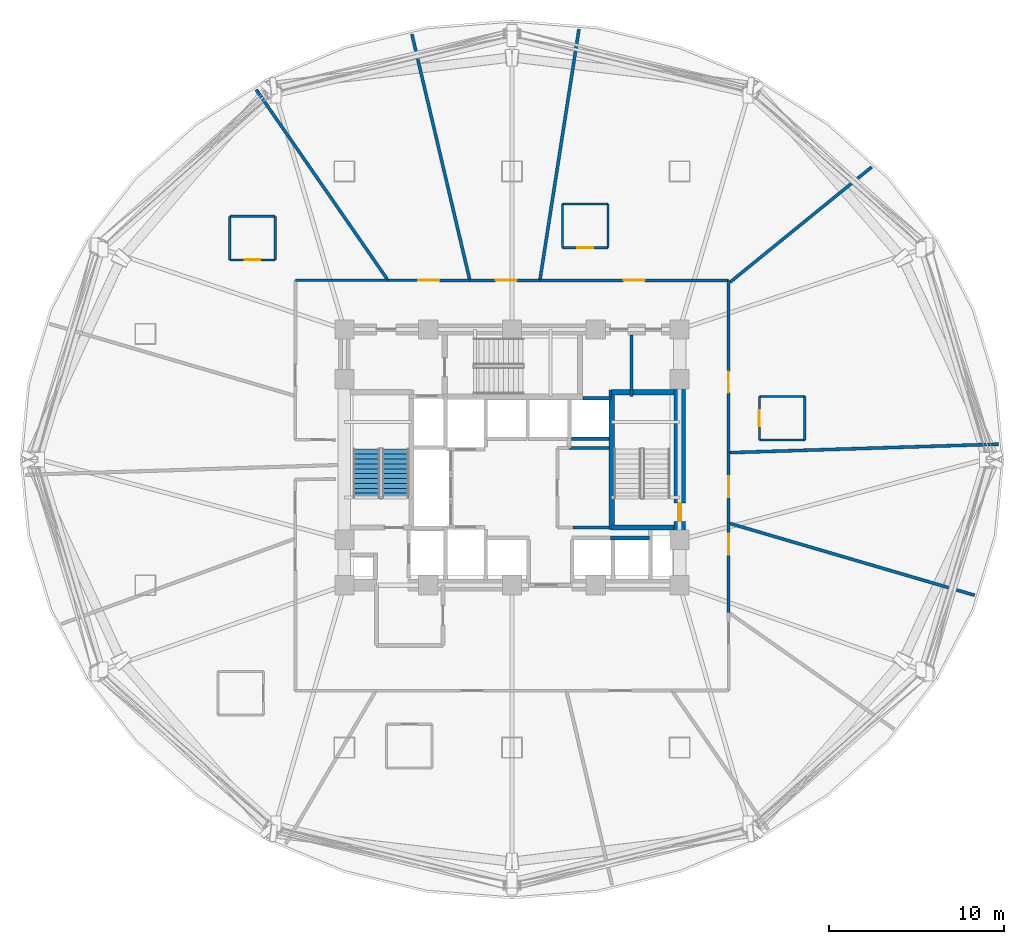
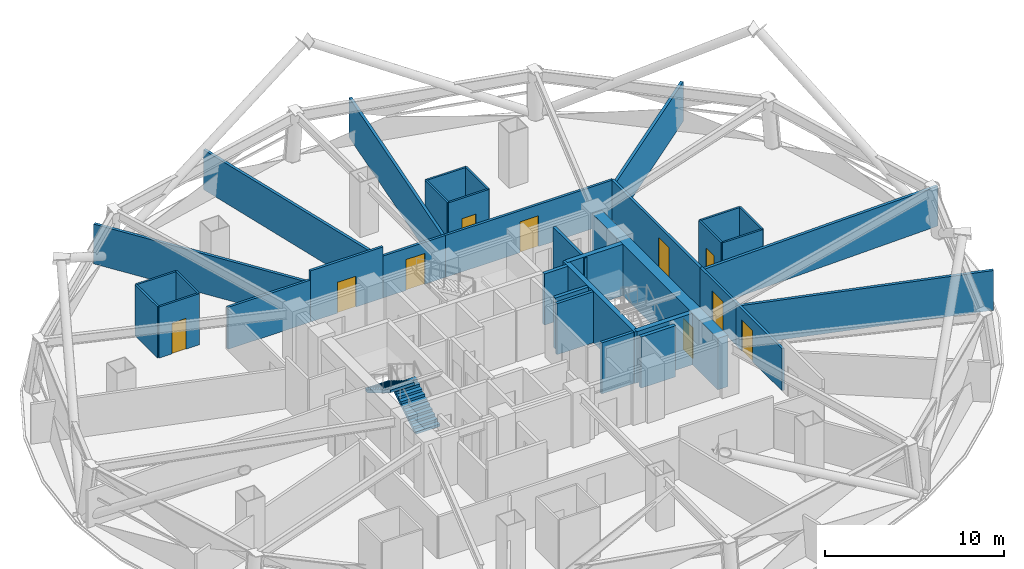
# One storey, part 7 of 13: 35 walls, 10 doors, 2 stair flights, 10 openings, 1 element without a shape of its own.
"""IFC4 building model written with IfcOpenShell, lengths in metres."""

from ifc_helpers import new_model, si_unit, direction, frame, frame_2d, origin, place, context, subcontext, project, spatial, polyline, rectangle, outline, extrude, material, layer, layer_set, type_object, element, fill, aggregate, save


model = new_model("IFC4")

# Units and contexts
model_context = context("Model", 3, precision=1e-05, world=origin(), true_north=direction((0.0, 1.0)))
body_context = subcontext(model_context, "Body", "Model", "MODEL_VIEW")
ifc_project = project(units=[si_unit("LENGTHUNIT", "METRE"), si_unit("AREAUNIT", "SQUARE_METRE"), si_unit("VOLUMEUNIT", "CUBIC_METRE"), si_unit("PLANEANGLEUNIT", "RADIAN"), si_unit("MASSUNIT", "GRAM", prefix="KILO")], contexts=[model_context])

# Site, building, storey
site_placement = place(None, origin())
site = spatial("IfcSite", under=ifc_project, at=site_placement, CompositionType="ELEMENT")
building_placement = place(site_placement, origin())
building = spatial("IfcBuilding", under=site, at=building_placement, Name="Vantalir Tower", CompositionType="ELEMENT")
storey_placement = place(building_placement, frame((0.0, 0.0, 87.0)))
storey = spatial("IfcBuildingStorey", under=building, at=storey_placement, Name="L21", CompositionType="ELEMENT", Elevation=87.0)

# Walls
ifc_material_1 = material(Name="Moisture-resistant en-suite partition", Category="gypsum")
ifc_layer_1 = layer(ifc_material_1, 0.125)
ifc_layer_set_1 = layer_set([ifc_layer_1], Name="Moisture-resistant en-suite partition")
wall_type_1 = type_object("IfcWallType", Name="WL-BATH-125", PredefinedType="PARTITIONING", material=ifc_layer_set_1)
for number, where, z_axis, x_axis, name in (
    (1, (45.6650390625, 26.117919921875, 0.0), (0.0, 0.0, 1.0), (1.0, 0.0, 0.0), "L21 En-suite 01 South Wall"),
    (2, (45.6650390625, 28.617919921875, 0.0), (0.0, 0.0, 1.0), (1.0, 0.0, 0.0), "L21 En-suite 01 North Wall"),
):
    element("IfcWall", number, at=place(storey_placement, frame(where, z_axis=z_axis, x_axis=x_axis)), inside=storey, type_object=wall_type_1, Name=name, PredefinedType="PARTITIONING", context=body_context, shape_type="SweptSolid", body=[
        extrude(rectangle(XDim=2.599853515625, YDim=0.125, at=frame_2d((1.2998046875, 0.0))), origin(), (0.0, 0.0, 1.0), 3.47998046875),
    ])

# Wall, opening, door
wall_1_placement = place(storey_placement, frame((45.6650390625, 26.117919921875, 0.0), z_axis=(0.0, 0.0, 1.0), x_axis=(0.0, 1.0, 0.0)))
wall_1 = element("IfcWall", 3, at=wall_1_placement, inside=storey, type_object=wall_type_1, Name="L21 En-suite 01 West Wall", PredefinedType="PARTITIONING", context=body_context, shape_type="SweptSolid", body=[
    extrude(rectangle(XDim=2.5, YDim=0.125, at=frame_2d((1.25, 0.0))), origin(), (0.0, 0.0, 1.0), 3.47998046875),
])
opening_1_placement = place(wall_1_placement, frame((0.800048828125, 0.0, 0.0)))
opening_1 = element("IfcOpeningElement", 4, at=opening_1_placement, cuts=wall_1, Name="Opening D-WC", PredefinedType="OPENING", context=body_context, shape_type="SweptSolid", body=[
    extrude(rectangle(XDim=0.89990234375, YDim=2.10009765625, at=frame_2d((0.449951171875, 1.050048828125))), frame((0.0, 0.072509765625, 0.0), z_axis=(0.0, -1.0, 0.0), x_axis=(1.0, 0.0, 0.0)), (0.0, 0.0, 1.0), 0.14501953125),
])
ifc_material_2 = material(Name="Moisture-resistant hardwood door", Category="wood")
door_type_1 = type_object("IfcDoorType", Name="DR-ENSUITE-900", OperationType="NOTDEFINED", PredefinedType="DOOR", material=ifc_material_2)
door_1_placement = place(opening_1_placement, frame((0.89990234375, 0.0, 0.0), z_axis=(0.0, 0.0, 1.0), x_axis=(-1.0, 0.0, 0.0)))
door_1 = element("IfcDoor", 5, at=door_1_placement, inside=storey, type_object=door_type_1, Name="L21 En-suite 01 Door", OperationType="SINGLE_SWING_LEFT", OverallHeight=2.10009765625, OverallWidth=0.89990234375, PredefinedType="DOOR", context=body_context, shape_type="SweptSolid", body=[
    extrude(rectangle(XDim=0.89990234375, YDim=2.10009765625, at=frame_2d((0.449951171875, 1.050048828125))), frame((0.0, 0.02490234375, 0.0), z_axis=(0.0, -1.0, 0.0), x_axis=(1.0, 0.0, 0.0)), (0.0, 0.0, 1.0), 0.050048828125),
])
fill(opening_1, door_1)

# Wall
wall_2_placement = place(storey_placement, frame((48.264892578125, 26.117919921875, 0.0), z_axis=(0.0, 0.0, 1.0), x_axis=(0.0, 1.0, 0.0)))
element("IfcWall", 6, at=wall_2_placement, inside=storey, type_object=wall_type_1, Name="L21 En-suite 01 East Wall", PredefinedType="PARTITIONING", context=body_context, shape_type="SweptSolid", body=[
    extrude(rectangle(XDim=2.5, YDim=0.125, at=frame_2d((1.25, 0.0))), origin(), (0.0, 0.0, 1.0), 3.47998046875),
])

# Wall, opening, door
wall_3_placement = place(storey_placement, frame((34.39501953125, 37.12890625, 0.0), z_axis=(0.0, 0.0, 1.0), x_axis=(1.0, 0.0, 0.0)))
wall_3 = element("IfcWall", 7, at=wall_3_placement, inside=storey, type_object=wall_type_1, Name="L21 En-suite 02 South Wall", PredefinedType="PARTITIONING", context=body_context, shape_type="SweptSolid", body=[
    extrude(rectangle(XDim=2.60009765625, YDim=0.125, at=frame_2d((1.300048828125, 0.0))), origin(), (0.0, 0.0, 1.0), 3.47998046875),
])
opening_2_placement = place(wall_3_placement, frame((0.85009765625, 0.0, 0.0)))
opening_2 = element("IfcOpeningElement", 8, at=opening_2_placement, cuts=wall_3, Name="Opening D-WC", PredefinedType="OPENING", context=body_context, shape_type="SweptSolid", body=[
    extrude(rectangle(XDim=0.89990234375, YDim=2.10009765625, at=frame_2d((0.449951171875, 1.050048828125))), frame((0.0, 0.072509765625, 0.0), z_axis=(0.0, -1.0, 0.0), x_axis=(1.0, 0.0, 0.0)), (0.0, 0.0, 1.0), 0.14501953125),
])
door_2_placement = place(opening_2_placement, origin())
door_2 = element("IfcDoor", 9, at=door_2_placement, inside=storey, type_object=door_type_1, Name="L21 En-suite 02 Door", OperationType="SINGLE_SWING_RIGHT", OverallHeight=2.10009765625, OverallWidth=0.89990234375, PredefinedType="DOOR", context=body_context, shape_type="SweptSolid", body=[
    extrude(rectangle(XDim=0.89990234375, YDim=2.10009765625, at=frame_2d((0.449951171875, 1.050048828125))), frame((0.0, 0.02490234375, 0.0), z_axis=(0.0, -1.0, 0.0), x_axis=(1.0, 0.0, 0.0)), (0.0, 0.0, 1.0), 0.050048828125),
])
fill(opening_2, door_2)

# Walls
wall_4_placement = place(storey_placement, frame((34.39501953125, 39.62890625, 0.0), z_axis=(0.0, 0.0, 1.0), x_axis=(1.0, 0.0, 0.0)))
element("IfcWall", 10, at=wall_4_placement, inside=storey, type_object=wall_type_1, Name="L21 En-suite 02 North Wall", PredefinedType="PARTITIONING", context=body_context, shape_type="SweptSolid", body=[
    extrude(rectangle(XDim=2.60009765625, YDim=0.125, at=frame_2d((1.300048828125, 0.0))), origin(), (0.0, 0.0, 1.0), 3.47998046875),
])
for number, where, z_axis, x_axis, name in (
    (11, (34.39501953125, 37.12890625, 0.0), (0.0, 0.0, 1.0), (0.0, 1.0, 0.0), "L21 En-suite 02 West Wall"),
    (12, (36.9951171875, 37.12890625, 0.0), (0.0, 0.0, 1.0), (0.0, 1.0, 0.0), "L21 En-suite 02 East Wall"),
):
    element("IfcWall", number, at=place(storey_placement, frame(where, z_axis=z_axis, x_axis=x_axis)), inside=storey, type_object=wall_type_1, Name=name, PredefinedType="PARTITIONING", context=body_context, shape_type="SweptSolid", body=[
        extrude(rectangle(XDim=2.5, YDim=0.125, at=frame_2d((1.25, 0.0))), origin(), (0.0, 0.0, 1.0), 3.47998046875),
    ])

# Wall, opening, door
wall_5_placement = place(storey_placement, frame((15.337890625, 36.429931640625, 0.0), z_axis=(0.0, 0.0, 1.0), x_axis=(1.0, 0.0, 0.0)))
wall_5 = element("IfcWall", 13, at=wall_5_placement, inside=storey, type_object=wall_type_1, Name="L21 En-suite 05 South Wall", PredefinedType="PARTITIONING", context=body_context, shape_type="SweptSolid", body=[
    extrude(rectangle(XDim=2.60009765625, YDim=0.125, at=frame_2d((1.300048828125, 0.0))), origin(), (0.0, 0.0, 1.0), 3.47998046875),
])
opening_3_placement = place(wall_5_placement, frame((0.85009765625, 0.0, 0.0)))
opening_3 = element("IfcOpeningElement", 14, at=opening_3_placement, cuts=wall_5, Name="Opening D-WC", PredefinedType="OPENING", context=body_context, shape_type="SweptSolid", body=[
    extrude(rectangle(XDim=0.89990234375, YDim=2.10009765625, at=frame_2d((0.449951171875, 1.050048828125))), frame((0.0, 0.072509765625, 0.0), z_axis=(0.0, -1.0, 0.0), x_axis=(1.0, 0.0, 0.0)), (0.0, 0.0, 1.0), 0.14501953125),
])
door_3_placement = place(opening_3_placement, origin())
door_3 = element("IfcDoor", 15, at=door_3_placement, inside=storey, type_object=door_type_1, Name="L21 En-suite 05 Door", OperationType="SINGLE_SWING_LEFT", OverallHeight=2.10009765625, OverallWidth=0.89990234375, PredefinedType="DOOR", context=body_context, shape_type="SweptSolid", body=[
    extrude(rectangle(XDim=0.89990234375, YDim=2.10009765625, at=frame_2d((0.449951171875, 1.050048828125))), frame((0.0, 0.02490234375, 0.0), z_axis=(0.0, -1.0, 0.0), x_axis=(1.0, 0.0, 0.0)), (0.0, 0.0, 1.0), 0.050048828125),
])
fill(opening_3, door_3)

# Walls
wall_6_placement = place(storey_placement, frame((15.337890625, 38.929931640625, 0.0), z_axis=(0.0, 0.0, 1.0), x_axis=(1.0, 0.0, 0.0)))
element("IfcWall", 16, at=wall_6_placement, inside=storey, type_object=wall_type_1, Name="L21 En-suite 05 North Wall", PredefinedType="PARTITIONING", context=body_context, shape_type="SweptSolid", body=[
    extrude(rectangle(XDim=2.60009765625, YDim=0.125, at=frame_2d((1.300048828125, 0.0))), origin(), (0.0, 0.0, 1.0), 3.47998046875),
])
for number, where, z_axis, x_axis, name in (
    (17, (15.337890625, 36.429931640625, 0.0), (0.0, 0.0, 1.0), (0.0, 1.0, 0.0), "L21 En-suite 05 West Wall"),
    (18, (17.93798828125, 36.429931640625, 0.0), (0.0, 0.0, 1.0), (0.0, 1.0, 0.0), "L21 En-suite 05 East Wall"),
):
    element("IfcWall", number, at=place(storey_placement, frame(where, z_axis=z_axis, x_axis=x_axis)), inside=storey, type_object=wall_type_1, Name=name, PredefinedType="PARTITIONING", context=body_context, shape_type="SweptSolid", body=[
        extrude(rectangle(XDim=2.5, YDim=0.125, at=frame_2d((1.25, 0.0))), origin(), (0.0, 0.0, 1.0), 3.47998046875),
    ])

# Wall, opening, door
ifc_material_3 = material(Name="Concrete C60/75", Category="concrete")
ifc_layer_2 = layer(ifc_material_3, 0.64990234375)
ifc_layer_set_2 = layer_set([ifc_layer_2], Name="Concrete C60/75")
wall_type_2 = type_object("IfcWallType", Name="WL-CORE-650", PredefinedType="SHEAR", material=ifc_layer_set_2)
wall_7_placement = place(storey_placement, frame((41.10009765625, 18.125, 0.0), z_axis=(0.0, 0.0, 1.0), x_axis=(0.0, 1.0, 0.0)))
wall_7 = element("IfcWall", 19, at=wall_7_placement, inside=storey, type_object=wall_type_2, Name="L21 Core Shear Wall East", PredefinedType="SHEAR", context=body_context, shape_type="SweptSolid", body=[
    extrude(rectangle(XDim=14.0, YDim=0.64990234375, at=frame_2d((7.0, 0.0))), origin(), (0.0, 0.0, 1.0), 3.5),
])
opening_4_placement = place(wall_7_placement, frame((3.3349609375, 0.0, 0.0)))
opening_4 = element("IfcOpeningElement", 20, at=opening_4_placement, cuts=wall_7, Name="Opening D-ST", PredefinedType="OPENING", context=body_context, shape_type="SweptSolid", body=[
    extrude(rectangle(XDim=1.050048828125, YDim=2.10009765625, at=frame_2d((0.52490234375, 1.050048828125))), frame((0.0, 0.3349609375, 0.0), z_axis=(0.0, -1.0, 0.0), x_axis=(1.0, 0.0, 0.0)), (0.0, 0.0, 1.0), 0.669921875),
])
ifc_material_4 = material(Name="Fire-rated steel door leaf", Category="steel")
door_type_2 = type_object("IfcDoorType", Name="DR-FIRE-STAIR-1050", OperationType="NOTDEFINED", PredefinedType="DOOR", material=ifc_material_4)
door_4_placement = place(opening_4_placement, origin())
door_4 = element("IfcDoor", 21, at=door_4_placement, inside=storey, type_object=door_type_2, Name="L21 Exit Stair ST2 Fire Door", OperationType="SINGLE_SWING_LEFT", OverallHeight=2.10009765625, OverallWidth=1.050048828125, PredefinedType="DOOR", context=body_context, shape_type="SweptSolid", body=[
    extrude(rectangle(XDim=1.050048828125, YDim=2.10009765625, at=frame_2d((0.52490234375, 1.050048828125))), frame((0.0, 0.02490234375, 0.0), z_axis=(0.0, -1.0, 0.0), x_axis=(1.0, 0.0, 0.0)), (0.0, 0.0, 1.0), 0.050048828125),
])
fill(opening_4, door_4)

# Wall
ifc_material_5 = material(Name="Fire-rated hotel corridor acoustic partition", Category="gypsum")
ifc_layer_3 = layer(ifc_material_5, 0.159912109375)
ifc_layer_set_3 = layer_set([ifc_layer_3], Name="Fire-rated hotel corridor acoustic partition")
wall_type_3 = type_object("IfcWallType", Name="WL-CORR-160", PredefinedType="PARTITIONING", material=ifc_layer_set_3)
wall_8_placement = place(storey_placement, frame((19.110107421875, 35.261962890625, 0.0), z_axis=(0.0, 0.0, 1.0), x_axis=(0.999999982965, -0.000184578466, 0.0)))
element("IfcWall", 22, at=wall_8_placement, inside=storey, type_object=wall_type_3, Name="L21 Corridor Partition 04", PredefinedType="PARTITIONING", context=body_context, shape_type="SweptSolid", body=[
    extrude(rectangle(XDim=5.290771484375, YDim=0.159912109375, at=frame_2d((2.6455078125, 0.0))), origin(), (0.0, 0.0, 1.0), 2.85791015625),
])

# Wall, opening, door
wall_9_placement = place(storey_placement, frame((24.40087890625, 35.260986328125, 0.0), z_axis=(0.0, 0.0, 1.0), x_axis=(0.999999978267, -0.000208485349, 0.0)))
wall_9 = element("IfcWall", 23, at=wall_9_placement, inside=storey, type_object=wall_type_3, Name="L21 Corridor Partition 05", PredefinedType="PARTITIONING", context=body_context, shape_type="SweptSolid", body=[
    extrude(rectangle(XDim=4.68408203125, YDim=0.159912109375, at=frame_2d((2.342041015625, 0.0))), origin(), (0.0, 0.0, 1.0), 3.47998046875),
])
opening_5_placement = place(wall_9_placement, frame((1.741943359375, 0.0, 0.0)))
opening_5 = element("IfcOpeningElement", 24, at=opening_5_placement, cuts=wall_9, Name="Opening D-STE", PredefinedType="OPENING", context=body_context, shape_type="SweptSolid", body=[
    extrude(rectangle(XDim=1.199951171875, YDim=2.10009765625, at=frame_2d((0.60009765625, 1.050048828125))), frame((0.0, 0.08984375, 0.0), z_axis=(0.0, -1.0, 0.0), x_axis=(1.0, 0.0, 0.0)), (0.0, 0.0, 1.0), 0.179931640625),
])
ifc_material_6 = material(Name="Solid-core teak veneer suite entrance door", Category="wood")
door_type_3 = type_object("IfcDoorType", Name="DR-SUITE-ENTRY-1200", OperationType="NOTDEFINED", PredefinedType="DOOR", material=ifc_material_6)
door_5_placement = place(opening_5_placement, origin())
door_5 = element("IfcDoor", 25, at=door_5_placement, inside=storey, type_object=door_type_3, Name="L21 Executive Sky Boardroom 04 Door", OperationType="SINGLE_SWING_RIGHT", OverallHeight=2.10009765625, OverallWidth=1.199951171875, PredefinedType="DOOR", context=body_context, shape_type="SweptSolid", body=[
    extrude(rectangle(XDim=1.199951171875, YDim=2.10009765625, at=frame_2d((0.60009765625, 1.050048828125))), frame((0.0, 0.02490234375, 0.0), z_axis=(0.0, -1.0, 0.0), x_axis=(1.0, 0.0, 0.0)), (0.0, 0.0, 1.0), 0.050048828125),
])
fill(opening_5, door_5)

wall_10_placement = place(storey_placement, frame((29.0849609375, 35.260009765625, 0.0), z_axis=(0.0, 0.0, 1.0), x_axis=(1.0, 0.0, 0.0)))
wall_10 = element("IfcWall", 26, at=wall_10_placement, inside=storey, type_object=wall_type_3, Name="L21 Corridor Partition 06", PredefinedType="PARTITIONING", context=body_context, shape_type="SweptSolid", body=[
    extrude(rectangle(XDim=4.010986328125, YDim=0.159912109375, at=frame_2d((2.00537109375, 0.0))), origin(), (0.0, 0.0, 1.0), 2.85791015625),
])
opening_6_placement = place(wall_10_placement, frame((1.47900390625, 0.0, 0.0)))
opening_6 = element("IfcOpeningElement", 27, at=opening_6_placement, cuts=wall_10, Name="Opening D-STE", PredefinedType="OPENING", context=body_context, shape_type="SweptSolid", body=[
    extrude(rectangle(XDim=1.199951171875, YDim=2.10009765625, at=frame_2d((0.60009765625, 1.050048828125))), frame((0.0, 0.08984375, 0.0), z_axis=(0.0, -1.0, 0.0), x_axis=(1.0, 0.0, 0.0)), (0.0, 0.0, 1.0), 0.179931640625),
])
door_6_placement = place(opening_6_placement, origin())
door_6 = element("IfcDoor", 28, at=door_6_placement, inside=storey, type_object=door_type_3, Name="L21 Executive Sky Boardroom 03 Door", OperationType="SINGLE_SWING_LEFT", OverallHeight=2.10009765625, OverallWidth=1.199951171875, PredefinedType="DOOR", context=body_context, shape_type="SweptSolid", body=[
    extrude(rectangle(XDim=1.199951171875, YDim=2.10009765625, at=frame_2d((0.60009765625, 1.050048828125))), frame((0.0, 0.02490234375, 0.0), z_axis=(0.0, -1.0, 0.0), x_axis=(1.0, 0.0, 0.0)), (0.0, 0.0, 1.0), 0.050048828125),
])
fill(opening_6, door_6)

wall_11_placement = place(storey_placement, frame((33.095947265625, 35.260009765625, 0.0), z_axis=(0.0, 0.0, 1.0), x_axis=(0.999999983651, -0.000180827736, 0.0)))
wall_11 = element("IfcWall", 29, at=wall_11_placement, inside=storey, type_object=wall_type_3, Name="L21 Corridor Partition 07", PredefinedType="PARTITIONING", context=body_context, shape_type="SweptSolid", body=[
    extrude(rectangle(XDim=10.801025390625, YDim=0.159912109375, at=frame_2d((5.400390625, 0.0))), origin(), (0.0, 0.0, 1.0), 2.85791015625),
])
opening_7_placement = place(wall_11_placement, frame((4.801025390625, 0.0, 0.0)))
opening_7 = element("IfcOpeningElement", 30, at=opening_7_placement, cuts=wall_11, Name="Opening D-STE", PredefinedType="OPENING", context=body_context, shape_type="SweptSolid", body=[
    extrude(rectangle(XDim=1.199951171875, YDim=2.10009765625, at=frame_2d((0.60009765625, 1.050048828125))), frame((0.0, 0.08984375, 0.0), z_axis=(0.0, -1.0, 0.0), x_axis=(1.0, 0.0, 0.0)), (0.0, 0.0, 1.0), 0.179931640625),
])
door_7_placement = place(opening_7_placement, origin())
door_7 = element("IfcDoor", 31, at=door_7_placement, inside=storey, type_object=door_type_3, Name="L21 Royal Ambassador Hotel Suite 02 Door", OperationType="SINGLE_SWING_RIGHT", OverallHeight=2.10009765625, OverallWidth=1.199951171875, PredefinedType="DOOR", context=body_context, shape_type="SweptSolid", body=[
    extrude(rectangle(XDim=1.199951171875, YDim=2.10009765625, at=frame_2d((0.60009765625, 1.050048828125))), frame((0.0, 0.02490234375, 0.0), z_axis=(0.0, -1.0, 0.0), x_axis=(1.0, 0.0, 0.0)), (0.0, 0.0, 1.0), 0.050048828125),
])
fill(opening_7, door_7)

wall_12_placement = place(storey_placement, frame((43.89697265625, 35.258056640625, 0.0), z_axis=(0.0, 0.0, 1.0), x_axis=(0.000519608986, -0.999999865003, 0.0)))
wall_12 = element("IfcWall", 32, at=wall_12_placement, inside=storey, type_object=wall_type_3, Name="L21 Corridor Partition 08", PredefinedType="PARTITIONING", context=body_context, shape_type="SweptSolid", body=[
    extrude(rectangle(XDim=9.866943359375, YDim=0.159912109375, at=frame_2d((4.93359375, 0.0))), origin(), (0.0, 0.0, 1.0), 2.85791015625),
])
opening_8_placement = place(wall_12_placement, frame((5.22802734375, 0.0, 0.0)))
opening_8 = element("IfcOpeningElement", 33, at=opening_8_placement, cuts=wall_12, Name="Opening D-STE", PredefinedType="OPENING", context=body_context, shape_type="SweptSolid", body=[
    extrude(rectangle(XDim=1.199951171875, YDim=2.10009765625, at=frame_2d((0.60009765625, 1.050048828125))), frame((0.0, 0.08984375, 0.0), z_axis=(0.0, -1.0, 0.0), x_axis=(1.0, 0.0, 0.0)), (0.0, 0.0, 1.0), 0.179931640625),
])
door_8_placement = place(opening_8_placement, origin())
door_8 = element("IfcDoor", 34, at=door_8_placement, inside=storey, type_object=door_type_3, Name="L21 Royal Ambassador Hotel Suite 01 Door", OperationType="SINGLE_SWING_LEFT", OverallHeight=2.10009765625, OverallWidth=1.199951171875, PredefinedType="DOOR", context=body_context, shape_type="SweptSolid", body=[
    extrude(rectangle(XDim=1.199951171875, YDim=2.10009765625, at=frame_2d((0.60009765625, 1.050048828125))), frame((0.0, 0.02490234375, 0.0), z_axis=(0.0, -1.0, 0.0), x_axis=(1.0, 0.0, 0.0)), (0.0, 0.0, 1.0), 0.050048828125),
])
fill(opening_8, door_8)

wall_13_placement = place(storey_placement, frame((43.902099609375, 25.39111328125, 0.0), z_axis=(0.0, 0.0, 1.0), x_axis=(0.000484525411, -0.999999882618, 0.0)))
wall_13 = element("IfcWall", 35, at=wall_13_placement, inside=storey, type_object=wall_type_3, Name="L21 Corridor Partition 09", PredefinedType="PARTITIONING", context=body_context, shape_type="SweptSolid", body=[
    extrude(rectangle(XDim=4.031005859375, YDim=0.159912109375, at=frame_2d((2.015625, 0.0))), origin(), (0.0, 0.0, 1.0), 2.85791015625),
])
opening_9_placement = place(wall_13_placement, frame((1.342041015625, 0.0, 0.0)))
opening_9 = element("IfcOpeningElement", 36, at=opening_9_placement, cuts=wall_13, Name="Opening D-STE", PredefinedType="OPENING", context=body_context, shape_type="SweptSolid", body=[
    extrude(rectangle(XDim=1.199951171875, YDim=2.10009765625, at=frame_2d((0.60009765625, 1.050048828125))), frame((0.0, 0.08984375, 0.0), z_axis=(0.0, -1.0, 0.0), x_axis=(1.0, 0.0, 0.0)), (0.0, 0.0, 1.0), 0.179931640625),
])
door_9_placement = place(opening_9_placement, origin())
door_9 = element("IfcDoor", 37, at=door_9_placement, inside=storey, type_object=door_type_3, Name="L21 Executive Sky Boardroom 13 Door", OperationType="SINGLE_SWING_LEFT", OverallHeight=2.10009765625, OverallWidth=1.199951171875, PredefinedType="DOOR", context=body_context, shape_type="SweptSolid", body=[
    extrude(rectangle(XDim=1.199951171875, YDim=2.10009765625, at=frame_2d((0.60009765625, 1.050048828125))), frame((0.0, 0.02490234375, 0.0), z_axis=(0.0, -1.0, 0.0), x_axis=(1.0, 0.0, 0.0)), (0.0, 0.0, 1.0), 0.050048828125),
])
fill(opening_9, door_9)

wall_14_placement = place(storey_placement, frame((43.904052734375, 21.360107421875, 0.0), z_axis=(0.0, 0.0, 1.0), x_axis=(0.000381916237, -0.99999992707, 0.0)))
wall_14 = element("IfcWall", 38, at=wall_14_placement, inside=storey, type_object=wall_type_3, Name="L21 Corridor Partition 10", PredefinedType="PARTITIONING", context=body_context, shape_type="SweptSolid", body=[
    extrude(rectangle(XDim=5.114013671875, YDim=0.159912109375, at=frame_2d((2.55712890625, 0.0))), origin(), (0.0, 0.0, 1.0), 2.85791015625),
])
opening_10_placement = place(wall_14_placement, frame((0.60888671875, 0.0, 0.0)))
opening_10 = element("IfcOpeningElement", 39, at=opening_10_placement, cuts=wall_14, Name="Opening D-STE", PredefinedType="OPENING", context=body_context, shape_type="SweptSolid", body=[
    extrude(rectangle(XDim=1.199951171875, YDim=2.10009765625, at=frame_2d((0.60009765625, 1.050048828125))), frame((0.0, 0.08984375, 0.0), z_axis=(0.0, -1.0, 0.0), x_axis=(1.0, 0.0, 0.0)), (0.0, 0.0, 1.0), 0.179931640625),
])
door_10_placement = place(opening_10_placement, origin())
door_10 = element("IfcDoor", 40, at=door_10_placement, inside=storey, type_object=door_type_3, Name="L21 Executive Sky Boardroom 12 Door", OperationType="SINGLE_SWING_RIGHT", OverallHeight=2.10009765625, OverallWidth=1.199951171875, PredefinedType="DOOR", context=body_context, shape_type="SweptSolid", body=[
    extrude(rectangle(XDim=1.199951171875, YDim=2.10009765625, at=frame_2d((0.60009765625, 1.050048828125))), frame((0.0, 0.02490234375, 0.0), z_axis=(0.0, -1.0, 0.0), x_axis=(1.0, 0.0, 0.0)), (0.0, 0.0, 1.0), 0.050048828125),
])
fill(opening_10, door_10)

# Walls
ifc_material_7 = material(Name="Concrete blockwork with fireboard lining", Category="masonry")
ifc_layer_4 = layer(ifc_material_7, 0.219970703125)
ifc_layer_set_4 = layer_set([ifc_layer_4], Name="Concrete blockwork with fireboard lining")
wall_type_4 = type_object("IfcWallType", Name="WL-FFL-220", PredefinedType="PARTITIONING", material=ifc_layer_set_4)
wall_15_placement = place(storey_placement, frame((34.909912109375, 26.18994140625, 0.0), z_axis=(0.0, 0.0, 1.0), x_axis=(1.0, 0.0, 0.0)))
element("IfcWall", 41, at=wall_15_placement, inside=storey, type_object=wall_type_4, Name="L21 High-Rise Lift PL-H3 Rear Shaft Wall", PredefinedType="PARTITIONING", context=body_context, shape_type="SweptSolid", body=[
    extrude(rectangle(XDim=2.14013671875, YDim=0.219970703125, at=frame_2d((1.070068359375, 0.0))), origin(), (0.0, 0.0, 1.0), 3.47509765625),
])
wall_16_placement = place(storey_placement, frame((37.139892578125, 20.510009765625, 0.0), z_axis=(0.0, 0.0, 1.0), x_axis=(1.0, 0.0, 0.0)))
element("IfcWall", 42, at=wall_16_placement, inside=storey, type_object=wall_type_4, Name="L21 Lift PL-X2 Shaft Rear Wall", PredefinedType="PARTITIONING", context=body_context, shape_type="SweptSolid", body=[
    extrude(rectangle(XDim=2.239990234375, YDim=0.219970703125, at=frame_2d((1.1201171875, 0.0))), origin(), (0.0, 0.0, 1.0), 3.47998046875),
])
wall_17_placement = place(storey_placement, frame((35.56005859375, 28.510009765625, 0.0), z_axis=(0.0, 0.0, 1.0), x_axis=(1.0, 0.0, 0.0)))
element("IfcWall", 43, at=wall_17_placement, inside=storey, type_object=wall_type_4, Name="L21 Lift PL-H3 Shaft Front Wall", PredefinedType="PARTITIONING", context=body_context, shape_type="SweptSolid", body=[
    extrude(rectangle(XDim=1.599853515625, YDim=0.219970703125, at=frame_2d((0.7998046875, 0.0))), origin(), (0.0, 0.0, 1.0), 3.47998046875),
])
ifc_material_8 = material(Name="Twin-stud acoustic fire-rated gypsum partition", Category="gypsum")
ifc_layer_5 = layer(ifc_material_8, 0.179931640625)
ifc_layer_set_5 = layer_set([ifc_layer_5], Name="Twin-stud acoustic fire-rated gypsum partition")
wall_type_5 = type_object("IfcWallType", Name="WL-GUEST-180", PredefinedType="PARTITIONING", material=ifc_layer_set_5)
wall_18_placement = place(storey_placement, frame((34.97998046875, 21.10009765625, 0.0), z_axis=(0.0, 0.0, 1.0), x_axis=(1.0, 0.0, 0.0)))
element("IfcWall", 44, at=wall_18_placement, inside=storey, type_object=wall_type_5, Name="L21 Freed East Core South Wall", PredefinedType="PARTITIONING", context=body_context, shape_type="SweptSolid", body=[
    extrude(rectangle(XDim=2.080078125, YDim=0.179931640625, at=frame_2d((1.0400390625, 0.0))), origin(), (0.0, 0.0, 1.0), 3.47998046875),
])
wall_19_placement = place(storey_placement, frame((34.719970703125, 25.64990234375, 0.0), z_axis=(0.0, 0.0, 1.0), x_axis=(1.0, 0.0, 0.0)))
element("IfcWall", 45, at=wall_19_placement, inside=storey, type_object=wall_type_5, Name="L21 Freed East Core North Wall", PredefinedType="PARTITIONING", context=body_context, shape_type="SweptSolid", body=[
    extrude(rectangle(XDim=2.340087890625, YDim=0.179931640625, at=frame_2d((1.169921875, 0.0))), origin(), (0.0, 0.0, 1.0), 3.47998046875),
])
wall_20_placement = place(storey_placement, frame((38.340087890625, 28.6201171875, 0.0), z_axis=(0.0, 0.0, 1.0), x_axis=(0.0, 1.0, 0.0)))
element("IfcWall", 46, at=wall_20_placement, inside=storey, type_object=wall_type_5, Name="L21 High-Rise Lift Lobby East Wall", PredefinedType="PARTITIONING", context=body_context, shape_type="SweptSolid", body=[
    extrude(rectangle(XDim=3.5048828125, YDim=0.179931640625, at=frame_2d((1.75244140625, 0.0))), origin(), (0.0, 0.0, 1.0), 3.47998046875),
])
wall_21_placement = place(storey_placement, frame((43.989990234375, 25.39404296875, 0.0), z_axis=(0.0, 0.0, 1.0), x_axis=(0.999502990343, 0.031524154155, 0.0)))
element("IfcWall", 47, at=wall_21_placement, inside=storey, type_object=wall_type_5, Name="L21 Radial Suite Partition 01", PredefinedType="PARTITIONING", context=body_context, shape_type="SweptSolid", body=[
    extrude(rectangle(XDim=15.380615234375, YDim=0.179931640625, at=frame_2d((7.6904296875, 0.0))), origin(), (0.0, 0.0, 1.0), 2.705078125),
])
wall_22_placement = place(storey_placement, frame((43.989990234375, 35.157958984375, 0.0), z_axis=(0.0, 0.0, 1.0), x_axis=(0.775876125328, 0.630885281288, 0.0)))
element("IfcWall", 48, at=wall_22_placement, inside=storey, type_object=wall_type_5, Name="L21 Radial Suite Partition 02", PredefinedType="PARTITIONING", context=body_context, shape_type="SweptSolid", body=[
    extrude(rectangle(XDim=10.45654296875, YDim=0.179931640625, at=frame_2d((5.228271484375, 0.0))), origin(), (0.0, 0.0, 1.0), 2.705078125),
])
wall_23_placement = place(storey_placement, frame((33.10888671875, 35.340087890625, 0.0), z_axis=(0.0, 0.0, 1.0), x_axis=(0.153754935782, 0.988109012064, 0.0)))
element("IfcWall", 49, at=wall_23_placement, inside=storey, type_object=wall_type_5, Name="L21 Radial Suite Partition 03", PredefinedType="PARTITIONING", context=body_context, shape_type="SweptSolid", body=[
    extrude(rectangle(XDim=14.47802734375, YDim=0.179931640625, at=frame_2d((7.239013671875, 0.0))), origin(), (0.0, 0.0, 1.0), 2.705078125),
])
wall_24_placement = place(storey_placement, frame((29.06689453125, 35.340087890625, 0.0), z_axis=(0.0, 0.0, 1.0), x_axis=(-0.229103597598, 0.973402045184, 0.0)))
element("IfcWall", 50, at=wall_24_placement, inside=storey, type_object=wall_type_5, Name="L21 Radial Suite Partition 04", PredefinedType="PARTITIONING", context=body_context, shape_type="SweptSolid", body=[
    extrude(rectangle(XDim=14.39892578125, YDim=0.179931640625, at=frame_2d((7.199462890625, 0.0))), origin(), (0.0, 0.0, 1.0), 2.705078125),
])
wall_25_placement = place(storey_placement, frame((24.346923828125, 35.340087890625, 0.0), z_axis=(0.0, 0.0, 1.0), x_axis=(-0.568928704045, 0.822386849186, 0.0)))
element("IfcWall", 51, at=wall_25_placement, inside=storey, type_object=wall_type_5, Name="L21 Radial Suite Partition 05", PredefinedType="PARTITIONING", context=body_context, shape_type="SweptSolid", body=[
    extrude(rectangle(XDim=13.180908203125, YDim=0.179931640625, at=frame_2d((6.59033203125, 0.0))), origin(), (0.0, 0.0, 1.0), 2.705078125),
])
wall_26_placement = place(storey_placement, frame((43.989990234375, 21.3349609375, 0.0), z_axis=(0.0, 0.0, 1.0), x_axis=(0.959533182325, -0.281595582383, 0.0)))
element("IfcWall", 52, at=wall_26_placement, inside=storey, type_object=wall_type_5, Name="L21 Radial Suite Partition 13", PredefinedType="PARTITIONING", context=body_context, shape_type="SweptSolid", body=[
    extrude(rectangle(XDim=14.591552734375, YDim=0.179931640625, at=frame_2d((7.2958984375, 0.0))), origin(), (0.0, 0.0, 1.0), 2.705078125),
])
ifc_material_9 = material(Name="Concrete C50/60", Category="concrete")
ifc_layer_6 = layer(ifc_material_9, 0.300048828125)
ifc_layer_set_6 = layer_set([ifc_layer_6], Name="Concrete C50/60")
wall_type_6 = type_object("IfcWallType", Name="WL-STAIR-300", PredefinedType="SHEAR", material=ifc_layer_set_6)
for number, where, z_axis, x_axis, name in (
    (53, (37.2099609375, 21.10009765625, 0.0), (0.0, 0.0, 1.0), (1.0, 0.0, 0.0), "L21 Stair ST2 South Wall"),
    (54, (37.2099609375, 28.85009765625, 0.0), (0.0, 0.0, 1.0), (1.0, 0.0, 0.0), "L21 Stair ST2 North Wall"),
):
    element("IfcWall", number, at=place(storey_placement, frame(where, z_axis=z_axis, x_axis=x_axis)), inside=storey, type_object=wall_type_6, Name=name, PredefinedType="SHEAR", context=body_context, shape_type="SweptSolid", body=[
        extrude(rectangle(XDim=3.56494140625, YDim=0.300048828125, at=frame_2d((1.782470703125, 0.0))), origin(), (0.0, 0.0, 1.0), 3.5),
    ])
wall_27_placement = place(storey_placement, frame((37.2099609375, 20.97998046875, 0.0), z_axis=(0.0, 0.0, 1.0), x_axis=(0.0, 1.0, 0.0)))
element("IfcWall", 55, at=wall_27_placement, inside=storey, type_object=wall_type_6, Name="L21 Stair ST2 West Wall", PredefinedType="SHEAR", context=body_context, shape_type="SweptSolid", body=[
    extrude(rectangle(XDim=7.989990234375, YDim=0.300048828125, at=frame_2d((3.9951171875, 0.0))), origin(), (0.0, 0.0, 1.0), 3.5),
])

# Stair, stair flights
ifc_material_10 = material(Name="Concrete C40/50", Category="concrete")
stair_type = type_object("IfcStairType", Name="STR-CORE-1450", PredefinedType="HALF_TURN_STAIR", material=ifc_material_10)
stair_placement = place(storey_placement, origin())
stair = element("IfcStair", 56, at=stair_placement, inside=storey, type_object=stair_type, Name="L21 Core Exit Stair 1", PredefinedType="HALF_TURN_STAIR")
stair_flight_type = type_object("IfcStairFlightType", Name="FLT-CORE-1450", PredefinedType="STRAIGHT", material=ifc_material_10)
stair_flight_1_placement = place(storey_placement, frame((24.830078125, 22.7900390625, 0.0), z_axis=(0.0, 0.0, 1.0), x_axis=(0.0, 1.0, 0.0)))
stair_flight_1 = element("IfcStairFlight", 57, at=stair_flight_1_placement, type_object=stair_flight_type, Name="ST1 flight 1", NumberOfRisers=11, NumberOfTreads=10, PredefinedType="STRAIGHT", RiserHeight=0.170454545, TreadLength=0.28, context=body_context, shape_type="SweptSolid", body=[
    extrude(outline(polyline([(0.0, 0.0), (0.0, 0.17041015625), (0.280029296875, 0.17041015625), (0.280029296875, 0.3408203125), (0.56005859375, 0.3408203125), (0.56005859375, 0.511474609375), (0.840087890625, 0.511474609375), (0.840087890625, 0.681884765625), (1.1201171875, 0.681884765625), (1.1201171875, 0.852294921875), (1.39990234375, 0.852294921875), (1.39990234375, 1.022705078125), (1.679931640625, 1.022705078125), (1.679931640625, 1.193115234375), (1.9599609375, 1.193115234375), (1.9599609375, 1.363525390625), (2.239990234375, 1.363525390625), (2.239990234375, 1.5341796875), (2.52001953125, 1.5341796875), (2.52001953125, 1.70458984375), (2.800048828125, 1.70458984375), (2.800048828125, 1.875), (2.800048828125, 1.529052734375), (0.288330078125, 0.0), (0.0, 0.0)])), frame((0.0, 0.77001953125, 0.0), z_axis=(0.0, -1.0, 0.0), x_axis=(1.0, 0.0, 0.0)), (0.0, 0.0, 1.0), 1.5400390625),
])
stair_flight_2_placement = place(storey_placement, frame((23.169921875, 25.590087890625, 1.875), z_axis=(0.0, 0.0, 1.0), x_axis=(0.0, -1.0, 0.0)))
stair_flight_2 = element("IfcStairFlight", 58, at=stair_flight_2_placement, type_object=stair_flight_type, Name="ST1 flight 2", NumberOfRisers=11, NumberOfTreads=10, PredefinedType="STRAIGHT", RiserHeight=0.170454545, TreadLength=0.28, context=body_context, shape_type="SweptSolid", body=[
    extrude(outline(polyline([(0.0, 0.0), (0.0, 0.17041015625), (0.280029296875, 0.17041015625), (0.280029296875, 0.3408203125), (0.56005859375, 0.3408203125), (0.56005859375, 0.511474609375), (0.840087890625, 0.511474609375), (0.840087890625, 0.681884765625), (1.1201171875, 0.681884765625), (1.1201171875, 0.852294921875), (1.39990234375, 0.852294921875), (1.39990234375, 1.022705078125), (1.679931640625, 1.022705078125), (1.679931640625, 1.193115234375), (1.9599609375, 1.193115234375), (1.9599609375, 1.363525390625), (2.239990234375, 1.363525390625), (2.239990234375, 1.5341796875), (2.52001953125, 1.5341796875), (2.52001953125, 1.70458984375), (2.800048828125, 1.70458984375), (2.800048828125, 1.875), (2.800048828125, 1.529052734375), (0.288330078125, 0.0), (0.0, 0.0)])), frame((0.0, 0.77001953125, 0.0), z_axis=(0.0, -1.0, 0.0), x_axis=(1.0, 0.0, 0.0)), (0.0, 0.0, 1.0), 1.5400390625),
])
aggregate(stair, [stair_flight_1, stair_flight_2])

save(model, "model.ifc")
